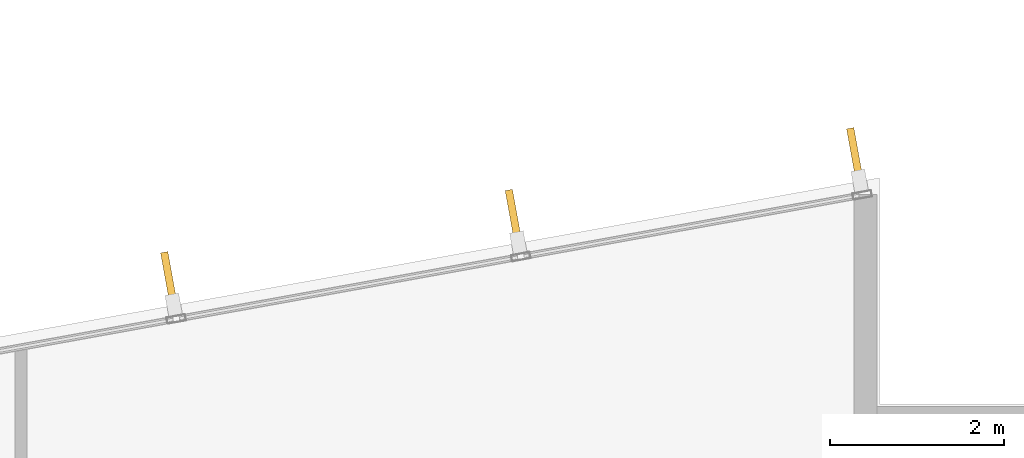
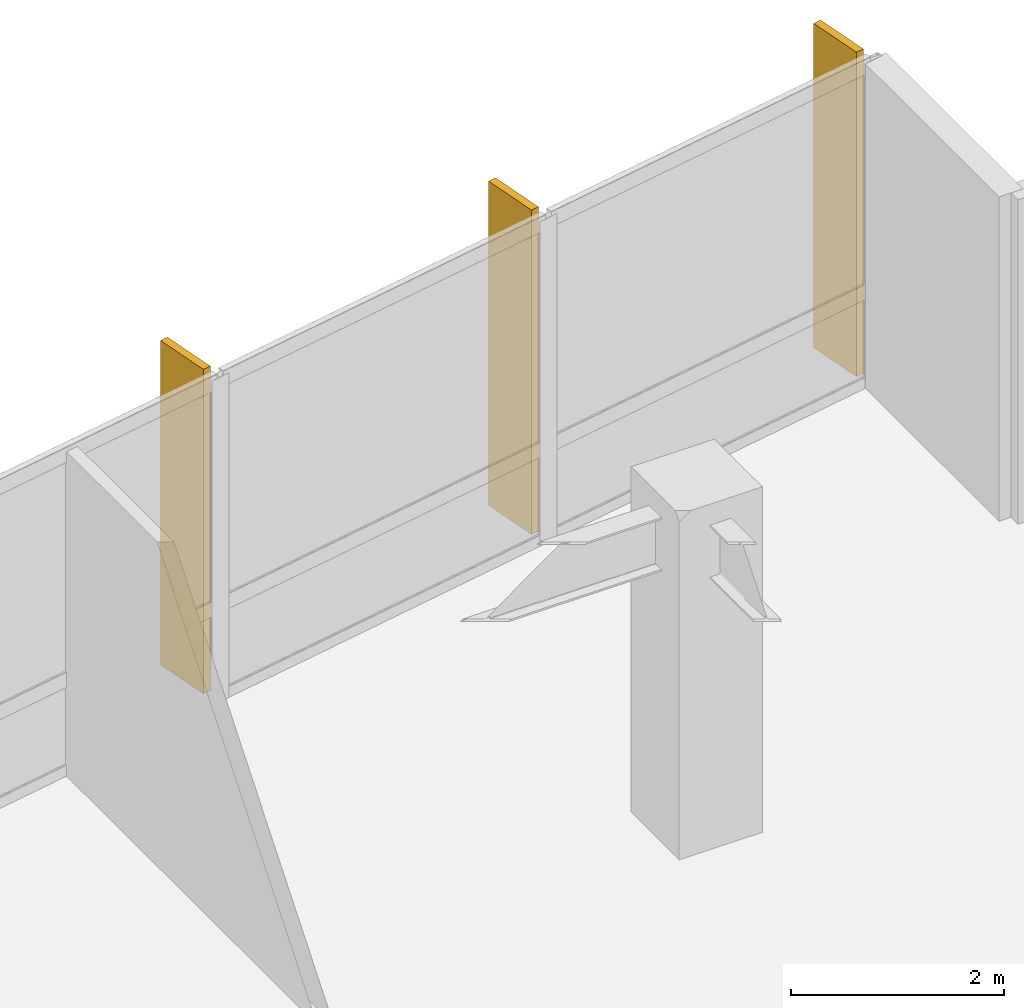
# One storey, part 21 of 21: 3 shading devices.
"""IFC4 building model written with IfcOpenShell, lengths in metres."""

import ifcopenshell
import ifcopenshell.guid

model = None  # the IFC model being written
_history = None  # IfcOwnerHistory: only IFC2X3 demands one
_inside = {}  # id of a spatial element -> (the spatial element, [elements in it])
_under = {}  # id of a project, library or spatial element -> (it, [spatial elements below it])
_declared = {}  # id of a project -> (the project, [libraries it declares])
_typed = {}  # id of a type object -> (the type object, [elements of that type])
_made_of = {}  # id of a material, layer set ... -> (it, [elements and type objects made of it])


def new_model(schema):
    """Start an empty IFC model of exactly this schema.

    Asked for "IFC4X3", IfcOpenShell would pick the latest addendum, in which some entities
    have other attributes; the version numbers below select the first issue.
    IFC2X3 requires an IfcOwnerHistory on every rooted entity: one is made here for all.
    """
    global model, _history
    if schema == "IFC4X3":
        model = ifcopenshell.file(schema_version=(4, 3, 0, 0))
    else:
        model = ifcopenshell.file(schema=schema)
    _inside.clear()
    _under.clear()
    _declared.clear()
    _typed.clear()
    _made_of.clear()
    _history = None
    if model.schema == "IFC2X3":
        org = make("IfcOrganization", Name="unknown")
        user = make(
            "IfcPersonAndOrganization",
            ThePerson=make("IfcPerson", FamilyName="unknown"),
            TheOrganization=org,
        )
        app = make(
            "IfcApplication",
            ApplicationDeveloper=org,
            Version="unknown",
            ApplicationFullName="unknown",
            ApplicationIdentifier="unknown",
        )
        _history = make(
            "IfcOwnerHistory",
            OwningUser=user,
            OwningApplication=app,
            ChangeAction="ADDED",
            CreationDate=0,
        )
    return model


def make(cls, **values):
    """One entity of the class cls with the attributes given. An attribute that is None is left unset."""
    return model.create_entity(
        cls, **{name: value for name, value in values.items() if value is not None}
    )


def rooted(cls, **values):
    """An entity with a GlobalId (a new one), such as an element, a storey or a relation."""
    return make(cls, GlobalId=ifcopenshell.guid.new(), OwnerHistory=_history, **values)


def si_unit(unit_type, name, prefix=None):
    """IfcSIUnit, for example si_unit("LENGTHUNIT", "METRE", prefix="MILLI")."""
    return make("IfcSIUnit", UnitType=unit_type, Prefix=prefix, Name=name)


def assignment(units):
    """IfcUnitAssignment: the units of a project."""
    return None if units is None else make("IfcUnitAssignment", Units=units)


def point(xyz):
    """IfcCartesianPoint."""
    return None if xyz is None else make("IfcCartesianPoint", Coordinates=xyz)


def direction(xyz):
    """IfcDirection."""
    return None if xyz is None else make("IfcDirection", DirectionRatios=xyz)


def frame(location, z_axis=None, x_axis=None):
    """IfcAxis2Placement3D, a coordinate frame: its origin and axes. An axis left out is left unset."""
    return make(
        "IfcAxis2Placement3D",
        Location=point(location),
        Axis=direction(z_axis),
        RefDirection=direction(x_axis),
    )


def frame_2d(location, x_axis=None):
    """IfcAxis2Placement2D, a coordinate frame in the plane: its origin and x axis."""
    return make(
        "IfcAxis2Placement2D", Location=point(location), RefDirection=direction(x_axis)
    )


def origin():
    """The frame at (0, 0, 0) with its axes left unset."""
    return frame((0.0, 0.0, 0.0))


def origin_2d():
    """The frame at (0, 0) in the plane with its x axis left unset."""
    return frame_2d((0.0, 0.0))


def place(relative_to, where):
    """IfcLocalPlacement: puts the frame where relative to a parent placement (None: the world)."""
    return make(
        "IfcLocalPlacement", PlacementRelTo=relative_to, RelativePlacement=where
    )


def context(
    kind, dimensions, precision=None, world=None, true_north=None, identifier=None
):
    """IfcGeometricRepresentationContext, for example the 3D "Model" context."""
    return make(
        "IfcGeometricRepresentationContext",
        ContextIdentifier=identifier,
        ContextType=kind,
        CoordinateSpaceDimension=dimensions,
        Precision=precision,
        WorldCoordinateSystem=world,
        TrueNorth=true_north,
    )


def subcontext(parent, identifier, kind, view, scale=None):
    """IfcGeometricRepresentationSubContext, for example "Body" below "Model"."""
    return make(
        "IfcGeometricRepresentationSubContext",
        ContextIdentifier=identifier,
        ContextType=kind,
        ParentContext=parent,
        TargetScale=scale,
        TargetView=view,
    )


def project(units=None, contexts=None):
    """IfcProject with its units and contexts."""
    return rooted(
        "IfcProject",
        Name="project",
        RepresentationContexts=contexts,
        UnitsInContext=assignment(units),
    )


def spatial(cls, under=None, at=None, **own):
    """A site, building, storey or space (cls), placed at a placement, below another one or the project."""
    s = rooted(cls, ObjectPlacement=at, **own)
    if under is not None:
        _under.setdefault(under.id(), (under, []))[1].append(s)
    return s


def profile(cls, at=None, kind="AREA", **sizes):
    """A parametric profile (cls). Its sizes go by their IFC names, for example OverallWidth=200.0."""
    return make(cls, ProfileType=kind, Position=at, **sizes)


def rectangle(**sizes):
    """IfcRectangleProfileDef."""
    return profile("IfcRectangleProfileDef", **sizes)


def extrude(swept, where, along, depth):
    """IfcExtrudedAreaSolid: the profile swept, set in the frame where, extruded along a direction by depth."""
    return make(
        "IfcExtrudedAreaSolid",
        SweptArea=swept,
        Position=where,
        ExtrudedDirection=direction(along),
        Depth=depth,
    )


def shape(context_of_items, identifier, shape_type, items):
    """IfcShapeRepresentation: the items that make up one representation, for example the "Body"."""
    return make(
        "IfcShapeRepresentation",
        ContextOfItems=context_of_items,
        RepresentationIdentifier=identifier,
        RepresentationType=shape_type,
        Items=items,
    )


def material(Name=None, Category=None):
    """IfcMaterial."""
    return make("IfcMaterial", Name=Name, Category=Category)


def layer(
    of_material, thickness, ventilated=None, Name=None, Category=None, Priority=None
):
    """IfcMaterialLayer: one layer of a wall or slab, of a material (None: an air gap)."""
    return make(
        "IfcMaterialLayer",
        Material=of_material,
        LayerThickness=thickness,
        IsVentilated=ventilated,
        Name=Name,
        Category=Category,
        Priority=Priority,
    )


def layer_set(layers, Name=None):
    """IfcMaterialLayerSet."""
    return make("IfcMaterialLayerSet", MaterialLayers=layers, LayerSetName=Name)


def made_of(thing, what):
    """Note that an element or type object is made of a material, layer set ...; save() writes the relation."""
    if what is not None:
        _made_of.setdefault(what.id(), (what, []))[1].append(thing)
    return thing


def type_object(cls, material=None, **own):
    """A type object (cls), such as IfcWallType, which elements share."""
    return made_of(rooted(cls, **own), material)


def element(
    cls,
    number,
    at=None,
    inside=None,
    cuts=None,
    type_object=None,
    material=None,
    context=None,
    identifier="Body",
    shape_type=None,
    held_by="IfcProductDefinitionShape",
    body=None,
    shapes=None,
    **own,
):
    """One element of the class cls, such as IfcWall. Its Tag is "e" and its number.

    at: its placement. inside: the storey or other place that contains it. cuts: it is an
    opening in that element (IfcRelVoidsElement). A single representation is given by context,
    identifier, shape_type and body (its items); several are given by shapes. held_by: the class
    of the entity that holds the representations. save() writes the other relations.
    """
    e = rooted(cls, Tag="e%d" % number, ObjectPlacement=at, **own)
    if body is not None:
        shapes = [shape(context, identifier, shape_type, body)]
    if shapes is not None:
        e.Representation = make(held_by, Representations=shapes)
    if inside is not None:
        _inside.setdefault(inside.id(), (inside, []))[1].append(e)
    if cuts is not None:
        rooted(
            "IfcRelVoidsElement", RelatingBuildingElement=cuts, RelatedOpeningElement=e
        )
    if type_object is not None:
        _typed.setdefault(type_object.id(), (type_object, []))[1].append(e)
    return made_of(e, material)


def aggregate(whole, parts):
    """IfcRelAggregates: a whole, such as a stair, and the parts it consists of."""
    return rooted("IfcRelAggregates", RelatingObject=whole, RelatedObjects=parts)


def save(model, path):
    """Write the relations noted so far, then the file.

    IfcRelAggregates (storeys below a building ...), IfcRelContainedInSpatialStructure (elements
    in a storey), IfcRelDefinesByType, IfcRelAssociatesMaterial and IfcRelDeclares: one each for
    every whole, place, type object, material and project.
    """
    for whole, parts in _under.values():
        aggregate(whole, parts)
    for where, things in _inside.values():
        rooted(
            "IfcRelContainedInSpatialStructure",
            RelatedElements=things,
            RelatingStructure=where,
        )
    for kind, things in _typed.values():
        rooted("IfcRelDefinesByType", RelatedObjects=things, RelatingType=kind)
    for what, things in _made_of.values():
        rooted("IfcRelAssociatesMaterial", RelatedObjects=things, RelatingMaterial=what)
    for by, libraries in _declared.values():
        rooted("IfcRelDeclares", RelatingContext=by, RelatedDefinitions=libraries)
    model.write(path)


model = new_model("IFC4")

# Units and contexts
model_context = context("Model", 3, precision=1e-05, world=origin(), true_north=direction((0.0, 1.0)))
body_context = subcontext(model_context, "Body", "Model", "MODEL_VIEW")
ifc_project = project(units=[si_unit("LENGTHUNIT", "METRE"), si_unit("AREAUNIT", "SQUARE_METRE"), si_unit("VOLUMEUNIT", "CUBIC_METRE"), si_unit("PLANEANGLEUNIT", "RADIAN"), si_unit("MASSUNIT", "GRAM", prefix="KILO")], contexts=[model_context])

# Site, building, storey
site_placement = place(None, origin())
site = spatial("IfcSite", under=ifc_project, at=site_placement, CompositionType="ELEMENT")
building_placement = place(site_placement, origin())
building = spatial("IfcBuilding", under=site, at=building_placement, Name="Varnakote Quay Hospital", CompositionType="ELEMENT")
storey_placement = place(building_placement, frame((0.0, 0.0, 34.35009765625)))
storey = spatial("IfcBuildingStorey", under=building, at=storey_placement, Name="L08", CompositionType="ELEMENT", Elevation=34.35009765625)

# Shading devices
ifc_material = material(Name="Anodised aluminium 6063-T6 Bronze", Category="aluminium")
ifc_layer = layer(ifc_material, 0.0849609375)
ifc_layer_set = layer_set([ifc_layer], Name="Anodised aluminium 6063-T6 Bronze")
shading_device_type = type_object("IfcShadingDeviceType", Name="SHD-BRONZE-FIN-620", PredefinedType="USERDEFINED", material=ifc_layer_set)
for number, where, z_axis, x_axis, name in (
    (1, (55.319580078125, 34.664306640625, 0.0), (0.0, 0.0, 1.0), (0.177771795263, -0.984071739666, 0.0), "L08 Anodised Bronze Vertical Shading FIN"),
    (2, (51.393798828125, 33.954833984375, 0.0), (0.0, 0.0, 1.0), (0.177771795263, -0.984071739666, 0.0), "L08 Anodised Bronze Vertical Shading FIN"),
    (3, (47.43115234375, 33.23876953125, 0.0), (0.0, 0.0, 1.0), (0.177771795263, -0.984071739666, 0.0), "L08 Anodised Bronze Vertical Shading FIN"),
):
    element("IfcShadingDevice", number, at=place(storey_placement, frame(where, z_axis=z_axis, x_axis=x_axis)), inside=storey, type_object=shading_device_type, Name=name, ObjectType="FIN", PredefinedType="USERDEFINED", context=body_context, shape_type="SweptSolid", body=[
        extrude(rectangle(XDim=0.6201171875, YDim=0.0849609375, at=origin_2d()), origin(), (0.0, 0.0, 1.0), 3.7099609375),
    ])

save(model, "model.ifc")
